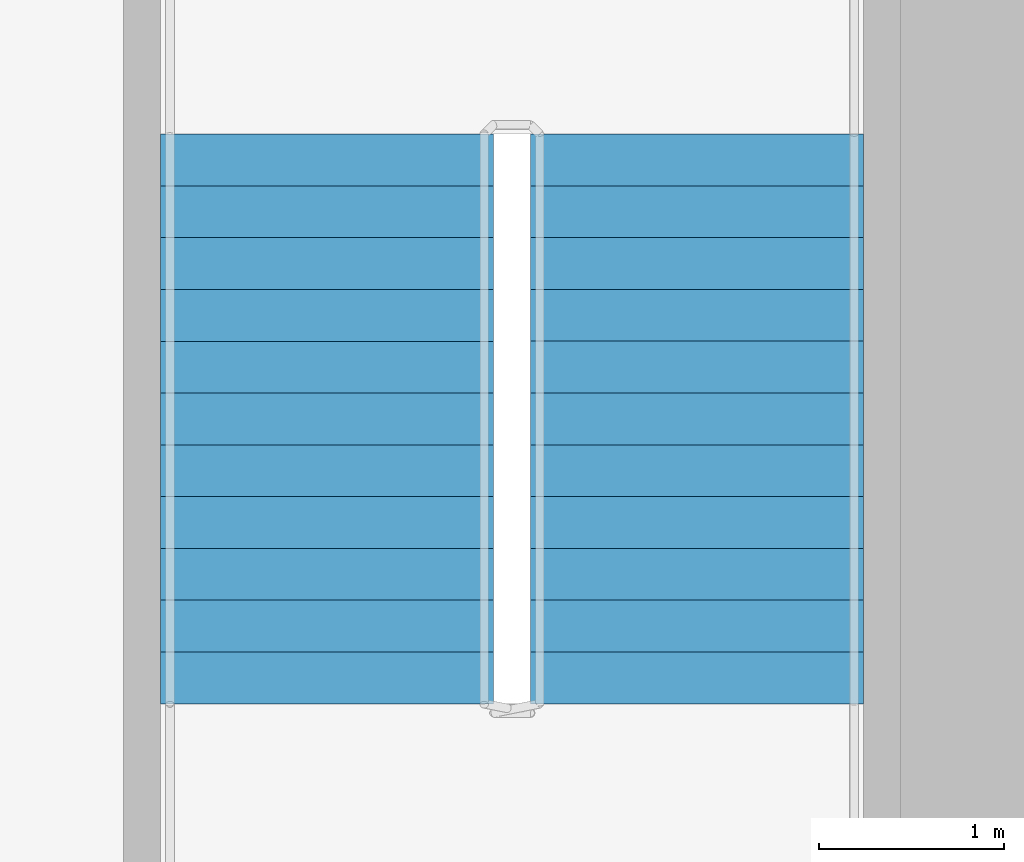
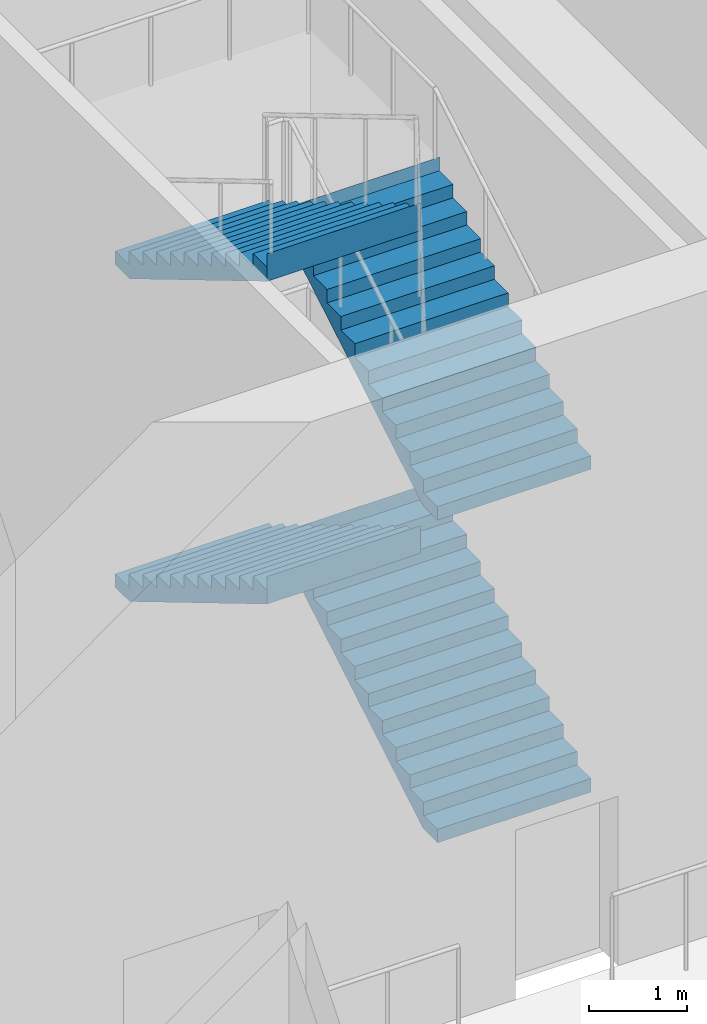
# One storey, part 6 of 12: 4 stair flights, 1 element without a shape of its own.
"""IFC4 building model written with IfcOpenShell, lengths in metres."""

import ifcopenshell
import ifcopenshell.guid

model = None  # the IFC model being written
_history = None  # IfcOwnerHistory: only IFC2X3 demands one
_inside = {}  # id of a spatial element -> (the spatial element, [elements in it])
_under = {}  # id of a project, library or spatial element -> (it, [spatial elements below it])
_declared = {}  # id of a project -> (the project, [libraries it declares])
_typed = {}  # id of a type object -> (the type object, [elements of that type])
_made_of = {}  # id of a material, layer set ... -> (it, [elements and type objects made of it])


def new_model(schema):
    """Start an empty IFC model of exactly this schema.

    Asked for "IFC4X3", IfcOpenShell would pick the latest addendum, in which some entities
    have other attributes; the version numbers below select the first issue.
    IFC2X3 requires an IfcOwnerHistory on every rooted entity: one is made here for all.
    """
    global model, _history
    if schema == "IFC4X3":
        model = ifcopenshell.file(schema_version=(4, 3, 0, 0))
    else:
        model = ifcopenshell.file(schema=schema)
    _inside.clear()
    _under.clear()
    _declared.clear()
    _typed.clear()
    _made_of.clear()
    _history = None
    if model.schema == "IFC2X3":
        org = make("IfcOrganization", Name="unknown")
        user = make(
            "IfcPersonAndOrganization",
            ThePerson=make("IfcPerson", FamilyName="unknown"),
            TheOrganization=org,
        )
        app = make(
            "IfcApplication",
            ApplicationDeveloper=org,
            Version="unknown",
            ApplicationFullName="unknown",
            ApplicationIdentifier="unknown",
        )
        _history = make(
            "IfcOwnerHistory",
            OwningUser=user,
            OwningApplication=app,
            ChangeAction="ADDED",
            CreationDate=0,
        )
    return model


def make(cls, **values):
    """One entity of the class cls with the attributes given. An attribute that is None is left unset."""
    return model.create_entity(
        cls, **{name: value for name, value in values.items() if value is not None}
    )


def rooted(cls, **values):
    """An entity with a GlobalId (a new one), such as an element, a storey or a relation."""
    return make(cls, GlobalId=ifcopenshell.guid.new(), OwnerHistory=_history, **values)


def si_unit(unit_type, name, prefix=None):
    """IfcSIUnit, for example si_unit("LENGTHUNIT", "METRE", prefix="MILLI")."""
    return make("IfcSIUnit", UnitType=unit_type, Prefix=prefix, Name=name)


def assignment(units):
    """IfcUnitAssignment: the units of a project."""
    return None if units is None else make("IfcUnitAssignment", Units=units)


def point(xyz):
    """IfcCartesianPoint."""
    return None if xyz is None else make("IfcCartesianPoint", Coordinates=xyz)


def direction(xyz):
    """IfcDirection."""
    return None if xyz is None else make("IfcDirection", DirectionRatios=xyz)


def frame(location, z_axis=None, x_axis=None):
    """IfcAxis2Placement3D, a coordinate frame: its origin and axes. An axis left out is left unset."""
    return make(
        "IfcAxis2Placement3D",
        Location=point(location),
        Axis=direction(z_axis),
        RefDirection=direction(x_axis),
    )


def origin():
    """The frame at (0, 0, 0) with its axes left unset."""
    return frame((0.0, 0.0, 0.0))


def place(relative_to, where):
    """IfcLocalPlacement: puts the frame where relative to a parent placement (None: the world)."""
    return make(
        "IfcLocalPlacement", PlacementRelTo=relative_to, RelativePlacement=where
    )


def context(
    kind, dimensions, precision=None, world=None, true_north=None, identifier=None
):
    """IfcGeometricRepresentationContext, for example the 3D "Model" context."""
    return make(
        "IfcGeometricRepresentationContext",
        ContextIdentifier=identifier,
        ContextType=kind,
        CoordinateSpaceDimension=dimensions,
        Precision=precision,
        WorldCoordinateSystem=world,
        TrueNorth=true_north,
    )


def subcontext(parent, identifier, kind, view, scale=None):
    """IfcGeometricRepresentationSubContext, for example "Body" below "Model"."""
    return make(
        "IfcGeometricRepresentationSubContext",
        ContextIdentifier=identifier,
        ContextType=kind,
        ParentContext=parent,
        TargetScale=scale,
        TargetView=view,
    )


def project(units=None, contexts=None):
    """IfcProject with its units and contexts."""
    return rooted(
        "IfcProject",
        Name="project",
        RepresentationContexts=contexts,
        UnitsInContext=assignment(units),
    )


def spatial(cls, under=None, at=None, **own):
    """A site, building, storey or space (cls), placed at a placement, below another one or the project."""
    s = rooted(cls, ObjectPlacement=at, **own)
    if under is not None:
        _under.setdefault(under.id(), (under, []))[1].append(s)
    return s


def polyline(points):
    """IfcPolyline through the points."""
    return make("IfcPolyline", Points=[point(p) for p in points])


def outline(outer, holes=None, kind="AREA"):
    """IfcArbitraryClosedProfileDef: a profile drawn as a closed curve; with holes, ...WithVoids."""
    if holes is None:
        return make("IfcArbitraryClosedProfileDef", ProfileType=kind, OuterCurve=outer)
    return make(
        "IfcArbitraryProfileDefWithVoids",
        ProfileType=kind,
        OuterCurve=outer,
        InnerCurves=holes,
    )


def extrude(swept, where, along, depth):
    """IfcExtrudedAreaSolid: the profile swept, set in the frame where, extruded along a direction by depth."""
    return make(
        "IfcExtrudedAreaSolid",
        SweptArea=swept,
        Position=where,
        ExtrudedDirection=direction(along),
        Depth=depth,
    )


def shape(context_of_items, identifier, shape_type, items):
    """IfcShapeRepresentation: the items that make up one representation, for example the "Body"."""
    return make(
        "IfcShapeRepresentation",
        ContextOfItems=context_of_items,
        RepresentationIdentifier=identifier,
        RepresentationType=shape_type,
        Items=items,
    )


def material(Name=None, Category=None):
    """IfcMaterial."""
    return make("IfcMaterial", Name=Name, Category=Category)


def made_of(thing, what):
    """Note that an element or type object is made of a material, layer set ...; save() writes the relation."""
    if what is not None:
        _made_of.setdefault(what.id(), (what, []))[1].append(thing)
    return thing


def type_object(cls, material=None, **own):
    """A type object (cls), such as IfcWallType, which elements share."""
    return made_of(rooted(cls, **own), material)


def element(
    cls,
    number,
    at=None,
    inside=None,
    cuts=None,
    type_object=None,
    material=None,
    context=None,
    identifier="Body",
    shape_type=None,
    held_by="IfcProductDefinitionShape",
    body=None,
    shapes=None,
    **own,
):
    """One element of the class cls, such as IfcWall. Its Tag is "e" and its number.

    at: its placement. inside: the storey or other place that contains it. cuts: it is an
    opening in that element (IfcRelVoidsElement). A single representation is given by context,
    identifier, shape_type and body (its items); several are given by shapes. held_by: the class
    of the entity that holds the representations. save() writes the other relations.
    """
    e = rooted(cls, Tag="e%d" % number, ObjectPlacement=at, **own)
    if body is not None:
        shapes = [shape(context, identifier, shape_type, body)]
    if shapes is not None:
        e.Representation = make(held_by, Representations=shapes)
    if inside is not None:
        _inside.setdefault(inside.id(), (inside, []))[1].append(e)
    if cuts is not None:
        rooted(
            "IfcRelVoidsElement", RelatingBuildingElement=cuts, RelatedOpeningElement=e
        )
    if type_object is not None:
        _typed.setdefault(type_object.id(), (type_object, []))[1].append(e)
    return made_of(e, material)


def aggregate(whole, parts):
    """IfcRelAggregates: a whole, such as a stair, and the parts it consists of."""
    return rooted("IfcRelAggregates", RelatingObject=whole, RelatedObjects=parts)


def save(model, path):
    """Write the relations noted so far, then the file.

    IfcRelAggregates (storeys below a building ...), IfcRelContainedInSpatialStructure (elements
    in a storey), IfcRelDefinesByType, IfcRelAssociatesMaterial and IfcRelDeclares: one each for
    every whole, place, type object, material and project.
    """
    for whole, parts in _under.values():
        aggregate(whole, parts)
    for where, things in _inside.values():
        rooted(
            "IfcRelContainedInSpatialStructure",
            RelatedElements=things,
            RelatingStructure=where,
        )
    for kind, things in _typed.values():
        rooted("IfcRelDefinesByType", RelatedObjects=things, RelatingType=kind)
    for what, things in _made_of.values():
        rooted("IfcRelAssociatesMaterial", RelatedObjects=things, RelatingMaterial=what)
    for by, libraries in _declared.values():
        rooted("IfcRelDeclares", RelatingContext=by, RelatedDefinitions=libraries)
    model.write(path)


model = new_model("IFC4")

# Units and contexts
model_context = context("Model", 3, precision=1e-05, world=origin(), true_north=direction((0.0, 1.0)))
body_context = subcontext(model_context, "Body", "Model", "MODEL_VIEW")
ifc_project = project(units=[si_unit("LENGTHUNIT", "METRE"), si_unit("AREAUNIT", "SQUARE_METRE"), si_unit("VOLUMEUNIT", "CUBIC_METRE"), si_unit("PLANEANGLEUNIT", "RADIAN"), si_unit("MASSUNIT", "GRAM", prefix="KILO")], contexts=[model_context])

# Site, building, storey
site_placement = place(None, origin())
site = spatial("IfcSite", under=ifc_project, at=site_placement, CompositionType="ELEMENT")
building_placement = place(site_placement, origin())
building = spatial("IfcBuilding", under=site, at=building_placement, Name="Tamorin Gate", CompositionType="ELEMENT")
storey_placement = place(building_placement, frame((0.0, 0.0, 166.199951171875)))
storey = spatial("IfcBuildingStorey", under=building, at=storey_placement, Name="L41", CompositionType="ELEMENT", Elevation=166.199951171875)

# Stair, stair flights
ifc_material = material(Name="Concrete C40/50", Category="concrete")
stair_type = type_object("IfcStairType", Name="Exit stair", PredefinedType="HALF_TURN_STAIR", material=ifc_material)
stair_placement = place(storey_placement, origin())
stair = element("IfcStair", 1, at=stair_placement, inside=storey, type_object=stair_type, Name="L41 stair ST3", PredefinedType="HALF_TURN_STAIR")
stair_flight_type = type_object("IfcStairFlightType", Name="Exit stair flight", PredefinedType="STRAIGHT", material=ifc_material)
stair_flight_1_placement = place(storey_placement, frame((58.10009765625, 62.800048828125, 0.0), z_axis=(0.0, 0.0, 1.0), x_axis=(0.0, 1.0, 0.0)))
stair_flight_1 = element("IfcStairFlight", 2, at=stair_flight_1_placement, type_object=stair_flight_type, Name="ST3 flight 1", NumberOfRisers=12, NumberOfTreads=11, PredefinedType="STRAIGHT", RiserHeight=0.166666667, TreadLength=0.28, context=body_context, shape_type="SweptSolid", body=[
    extrude(outline(polyline([(-0.00048828125, 0.0), (-0.00048828125, 0.001708984375), (-0.00048828125, 0.00341796875), (-0.00048828125, 0.0048828125), (-0.00048828125, 0.006591796875), (-0.00048828125, 0.00830078125), (-0.00048828125, 0.010009765625), (-0.00048828125, 0.011474609375), (-0.00048828125, 0.01318359375), (-0.00048828125, 0.014892578125), (-0.00048828125, 0.0166015625), (-0.00048828125, 0.01806640625), (-0.00048828125, 0.019775390625), (-0.00048828125, 0.021484375), (-0.00048828125, 0.023193359375), (-0.00048828125, 0.024658203125), (-0.00048828125, 0.0263671875), (-0.00048828125, 0.028076171875), (-0.00048828125, 0.02978515625), (-0.00048828125, 0.03125), (-0.00048828125, 0.032958984375), (-0.00048828125, 0.03466796875), (-0.00048828125, 0.036376953125), (-0.00048828125, 0.037841796875), (-0.00048828125, 0.03955078125), (-0.00048828125, 0.041259765625), (-0.00048828125, 0.04296875), (-0.00048828125, 0.04443359375), (-0.00048828125, 0.046142578125), (-0.00048828125, 0.0478515625), (-0.00048828125, 0.049560546875), (-0.00048828125, 0.05126953125), (-0.00048828125, 0.052734375), (-0.00048828125, 0.054443359375), (-0.00048828125, 0.05615234375), (-0.00048828125, 0.057861328125), (-0.00048828125, 0.059326171875), (-0.00048828125, 0.06103515625), (-0.00048828125, 0.062744140625), (-0.00048828125, 0.064453125), (-0.00048828125, 0.06591796875), (-0.00048828125, 0.067626953125), (-0.00048828125, 0.0693359375), (-0.00048828125, 0.071044921875), (-0.00048828125, 0.072509765625), (-0.00048828125, 0.07421875), (-0.00048828125, 0.075927734375), (-0.00048828125, 0.07763671875), (-0.00048828125, 0.0791015625), (-0.00048828125, 0.080810546875), (-0.00048828125, 0.08251953125), (-0.00048828125, 0.084228515625), (-0.00048828125, 0.085693359375), (-0.00048828125, 0.08740234375), (-0.00048828125, 0.089111328125), (-0.00048828125, 0.0908203125), (-0.00048828125, 0.092529296875), (-0.00048828125, 0.093994140625), (-0.00048828125, 0.095703125), (-0.00048828125, 0.097412109375), (-0.00048828125, 0.09912109375), (-0.00048828125, 0.1005859375), (-0.00048828125, 0.102294921875), (-0.00048828125, 0.10400390625), (-0.00048828125, 0.105712890625), (-0.00048828125, 0.107177734375), (-0.00048828125, 0.10888671875), (-0.00048828125, 0.110595703125), (-0.00048828125, 0.1123046875), (-0.00048828125, 0.11376953125), (-0.00048828125, 0.115478515625), (-0.00048828125, 0.1171875), (-0.00048828125, 0.118896484375), (-0.00048828125, 0.120361328125), (-0.00048828125, 0.1220703125), (-0.00048828125, 0.123779296875), (-0.00048828125, 0.12548828125), (-0.00048828125, 0.126953125), (-0.00048828125, 0.128662109375), (-0.00048828125, 0.13037109375), (-0.00048828125, 0.132080078125), (-0.00048828125, 0.133544921875), (-0.00048828125, 0.13525390625), (-0.00048828125, 0.136962890625), (-0.00048828125, 0.138671875), (-0.00048828125, 0.140380859375), (-0.00048828125, 0.141845703125), (-0.00048828125, 0.1435546875), (-0.00048828125, 0.145263671875), (-0.00048828125, 0.14697265625), (-0.00048828125, 0.1484375), (-0.00048828125, 0.150146484375), (-0.00048828125, 0.15185546875), (-0.00048828125, 0.153564453125), (-0.00048828125, 0.155029296875), (-0.00048828125, 0.15673828125), (-0.00048828125, 0.158447265625), (-0.00048828125, 0.16015625), (-0.00048828125, 0.16162109375), (-0.00048828125, 0.163330078125), (-0.00048828125, 0.1650390625), (-0.00048828125, 0.166748046875), (0.280029296875, 0.166748046875), (0.280029296875, 0.333251953125), (0.56005859375, 0.333251953125), (0.56005859375, 0.5), (0.840087890625, 0.5), (0.840087890625, 0.666748046875), (1.1201171875, 0.666748046875), (1.1201171875, 0.833251953125), (1.39990234375, 0.833251953125), (1.39990234375, 1.0), (1.679931640625, 1.0), (1.679931640625, 1.166748046875), (1.9599609375, 1.166748046875), (1.9599609375, 1.333251953125), (2.239990234375, 1.333251953125), (2.239990234375, 1.5), (2.52001953125, 1.5), (2.52001953125, 1.666748046875), (2.800048828125, 1.666748046875), (2.800048828125, 1.833251953125), (3.080078125, 1.833251953125), (3.080078125, 2.0), (3.08056640625, 2.0), (3.08056640625, 1.99658203125), (3.08056640625, 1.9931640625), (3.08056640625, 1.98974609375), (3.08056640625, 1.986572265625), (3.08056640625, 1.983154296875), (3.08056640625, 1.979736328125), (3.08056640625, 1.976318359375), (3.08056640625, 1.972900390625), (3.08056640625, 1.969482421875), (3.08056640625, 1.96630859375), (3.08056640625, 1.962890625), (3.08056640625, 1.95947265625), (3.08056640625, 1.9560546875), (3.08056640625, 1.95263671875), (3.08056640625, 1.94921875), (3.08056640625, 1.946044921875), (3.08056640625, 1.942626953125), (3.08056640625, 1.939208984375), (3.08056640625, 1.935791015625), (3.08056640625, 1.932373046875), (3.08056640625, 1.928955078125), (3.08056640625, 1.92578125), (3.08056640625, 1.92236328125), (3.08056640625, 1.9189453125), (3.08056640625, 1.91552734375), (3.08056640625, 1.912109375), (3.08056640625, 1.90869140625), (3.08056640625, 1.905517578125), (3.08056640625, 1.902099609375), (3.08056640625, 1.898681640625), (3.08056640625, 1.895263671875), (3.08056640625, 1.891845703125), (3.08056640625, 1.888427734375), (3.08056640625, 1.88525390625), (3.08056640625, 1.8818359375), (3.08056640625, 1.87841796875), (3.08056640625, 1.875), (3.08056640625, 1.87158203125), (3.08056640625, 1.8681640625), (3.08056640625, 1.864990234375), (3.08056640625, 1.861572265625), (3.08056640625, 1.858154296875), (3.08056640625, 1.854736328125), (3.08056640625, 1.851318359375), (3.08056640625, 1.847900390625), (3.08056640625, 1.8447265625), (3.08056640625, 1.84130859375), (3.08056640625, 1.837890625), (3.08056640625, 1.83447265625), (3.08056640625, 1.8310546875), (3.08056640625, 1.82763671875), (3.08056640625, 1.824462890625), (3.08056640625, 1.821044921875), (3.08056640625, 1.817626953125), (3.08056640625, 1.814208984375), (3.08056640625, 1.810791015625), (3.08056640625, 1.807373046875), (3.08056640625, 1.80419921875), (3.08056640625, 1.80078125), (3.08056640625, 1.79736328125), (3.08056640625, 1.7939453125), (3.08056640625, 1.79052734375), (3.08056640625, 1.787109375), (3.08056640625, 1.783935546875), (3.08056640625, 1.780517578125), (3.08056640625, 1.777099609375), (3.08056640625, 1.773681640625), (3.08056640625, 1.770263671875), (3.08056640625, 1.766845703125), (3.08056640625, 1.763671875), (3.08056640625, 1.76025390625), (3.08056640625, 1.7568359375), (3.08056640625, 1.75341796875), (3.08056640625, 1.75), (3.08056640625, 1.74658203125), (3.08056640625, 1.743408203125), (3.08056640625, 1.739990234375), (3.08056640625, 1.736572265625), (3.08056640625, 1.733154296875), (3.08056640625, 1.729736328125), (3.08056640625, 1.726318359375), (3.08056640625, 1.72314453125), (3.08056640625, 1.7197265625), (3.08056640625, 1.71630859375), (3.08056640625, 1.712890625), (3.08056640625, 1.70947265625), (3.08056640625, 1.7060546875), (3.08056640625, 1.702880859375), (3.08056640625, 1.699462890625), (3.08056640625, 1.696044921875), (3.08056640625, 1.692626953125), (3.08056640625, 1.689208984375), (3.08056640625, 1.685791015625), (3.08056640625, 1.6826171875), (3.08056640625, 1.67919921875), (3.08056640625, 1.67578125), (3.08056640625, 1.67236328125), (3.08056640625, 1.6689453125), (3.08056640625, 1.66552734375), (3.08056640625, 1.662353515625), (3.08056640625, 1.658935546875), (3.080078125, 1.658935546875), (0.29296875, 0.0), (-0.00048828125, 0.0)])), frame((0.0, 0.89990234375, 0.0), z_axis=(0.0, -1.0, 0.0), x_axis=(1.0, 0.0, 0.0)), (0.0, 0.0, 1.0), 1.800048828125),
])
stair_flight_2_placement = place(storey_placement, frame((56.10009765625, 65.8798828125, 2.0), z_axis=(0.0, 0.0, 1.0), x_axis=(0.0, -1.0, 0.0)))
stair_flight_2 = element("IfcStairFlight", 3, at=stair_flight_2_placement, type_object=stair_flight_type, Name="ST3 flight 2", NumberOfRisers=12, NumberOfTreads=11, PredefinedType="STRAIGHT", RiserHeight=0.166666667, TreadLength=0.28, context=body_context, shape_type="SweptSolid", body=[
    extrude(outline(polyline([(-0.00048828125, 0.0), (-0.00048828125, 0.001708984375), (-0.00048828125, 0.00341796875), (-0.00048828125, 0.0048828125), (-0.00048828125, 0.006591796875), (-0.00048828125, 0.00830078125), (-0.00048828125, 0.010009765625), (-0.00048828125, 0.011474609375), (-0.00048828125, 0.01318359375), (-0.00048828125, 0.014892578125), (-0.00048828125, 0.0166015625), (-0.00048828125, 0.01806640625), (-0.00048828125, 0.019775390625), (-0.00048828125, 0.021484375), (-0.00048828125, 0.023193359375), (-0.00048828125, 0.024658203125), (-0.00048828125, 0.0263671875), (-0.00048828125, 0.028076171875), (-0.00048828125, 0.02978515625), (-0.00048828125, 0.03125), (-0.00048828125, 0.032958984375), (-0.00048828125, 0.03466796875), (-0.00048828125, 0.036376953125), (-0.00048828125, 0.037841796875), (-0.00048828125, 0.03955078125), (-0.00048828125, 0.041259765625), (-0.00048828125, 0.04296875), (-0.00048828125, 0.04443359375), (-0.00048828125, 0.046142578125), (-0.00048828125, 0.0478515625), (-0.00048828125, 0.049560546875), (-0.00048828125, 0.05126953125), (-0.00048828125, 0.052734375), (-0.00048828125, 0.054443359375), (-0.00048828125, 0.05615234375), (-0.00048828125, 0.057861328125), (-0.00048828125, 0.059326171875), (-0.00048828125, 0.06103515625), (-0.00048828125, 0.062744140625), (-0.00048828125, 0.064453125), (-0.00048828125, 0.06591796875), (-0.00048828125, 0.067626953125), (-0.00048828125, 0.0693359375), (-0.00048828125, 0.071044921875), (-0.00048828125, 0.072509765625), (-0.00048828125, 0.07421875), (-0.00048828125, 0.075927734375), (-0.00048828125, 0.07763671875), (-0.00048828125, 0.0791015625), (-0.00048828125, 0.080810546875), (-0.00048828125, 0.08251953125), (-0.00048828125, 0.084228515625), (-0.00048828125, 0.085693359375), (-0.00048828125, 0.08740234375), (-0.00048828125, 0.089111328125), (-0.00048828125, 0.0908203125), (-0.00048828125, 0.092529296875), (-0.00048828125, 0.093994140625), (-0.00048828125, 0.095703125), (-0.00048828125, 0.097412109375), (-0.00048828125, 0.09912109375), (-0.00048828125, 0.1005859375), (-0.00048828125, 0.102294921875), (-0.00048828125, 0.10400390625), (-0.00048828125, 0.105712890625), (-0.00048828125, 0.107177734375), (-0.00048828125, 0.10888671875), (-0.00048828125, 0.110595703125), (-0.00048828125, 0.1123046875), (-0.00048828125, 0.11376953125), (-0.00048828125, 0.115478515625), (-0.00048828125, 0.1171875), (-0.00048828125, 0.118896484375), (-0.00048828125, 0.120361328125), (-0.00048828125, 0.1220703125), (-0.00048828125, 0.123779296875), (-0.00048828125, 0.12548828125), (-0.00048828125, 0.126953125), (-0.00048828125, 0.128662109375), (-0.00048828125, 0.13037109375), (-0.00048828125, 0.132080078125), (-0.00048828125, 0.133544921875), (-0.00048828125, 0.13525390625), (-0.00048828125, 0.136962890625), (-0.00048828125, 0.138671875), (-0.00048828125, 0.140380859375), (-0.00048828125, 0.141845703125), (-0.00048828125, 0.1435546875), (-0.00048828125, 0.145263671875), (-0.00048828125, 0.14697265625), (-0.00048828125, 0.1484375), (-0.00048828125, 0.150146484375), (-0.00048828125, 0.15185546875), (-0.00048828125, 0.153564453125), (-0.00048828125, 0.155029296875), (-0.00048828125, 0.15673828125), (-0.00048828125, 0.158447265625), (-0.00048828125, 0.16015625), (-0.00048828125, 0.16162109375), (-0.00048828125, 0.163330078125), (-0.00048828125, 0.1650390625), (-0.00048828125, 0.166748046875), (0.280029296875, 0.166748046875), (0.280029296875, 0.333251953125), (0.56005859375, 0.333251953125), (0.56005859375, 0.5), (0.840087890625, 0.5), (0.840087890625, 0.666748046875), (1.1201171875, 0.666748046875), (1.1201171875, 0.833251953125), (1.39990234375, 0.833251953125), (1.39990234375, 1.0), (1.679931640625, 1.0), (1.679931640625, 1.166748046875), (1.9599609375, 1.166748046875), (1.9599609375, 1.333251953125), (2.239990234375, 1.333251953125), (2.239990234375, 1.5), (2.52001953125, 1.5), (2.52001953125, 1.666748046875), (2.800048828125, 1.666748046875), (2.800048828125, 1.833251953125), (3.080078125, 1.833251953125), (3.080078125, 2.0), (3.08056640625, 2.0), (3.08056640625, 1.99658203125), (3.08056640625, 1.9931640625), (3.08056640625, 1.98974609375), (3.08056640625, 1.986572265625), (3.08056640625, 1.983154296875), (3.08056640625, 1.979736328125), (3.08056640625, 1.976318359375), (3.08056640625, 1.972900390625), (3.08056640625, 1.969482421875), (3.08056640625, 1.96630859375), (3.08056640625, 1.962890625), (3.08056640625, 1.95947265625), (3.08056640625, 1.9560546875), (3.08056640625, 1.95263671875), (3.08056640625, 1.94921875), (3.08056640625, 1.946044921875), (3.08056640625, 1.942626953125), (3.08056640625, 1.939208984375), (3.08056640625, 1.935791015625), (3.08056640625, 1.932373046875), (3.08056640625, 1.928955078125), (3.08056640625, 1.92578125), (3.08056640625, 1.92236328125), (3.08056640625, 1.9189453125), (3.08056640625, 1.91552734375), (3.08056640625, 1.912109375), (3.08056640625, 1.90869140625), (3.08056640625, 1.905517578125), (3.08056640625, 1.902099609375), (3.08056640625, 1.898681640625), (3.08056640625, 1.895263671875), (3.08056640625, 1.891845703125), (3.08056640625, 1.888427734375), (3.08056640625, 1.88525390625), (3.08056640625, 1.8818359375), (3.08056640625, 1.87841796875), (3.08056640625, 1.875), (3.08056640625, 1.87158203125), (3.08056640625, 1.8681640625), (3.08056640625, 1.864990234375), (3.08056640625, 1.861572265625), (3.08056640625, 1.858154296875), (3.08056640625, 1.854736328125), (3.08056640625, 1.851318359375), (3.08056640625, 1.847900390625), (3.08056640625, 1.8447265625), (3.08056640625, 1.84130859375), (3.08056640625, 1.837890625), (3.08056640625, 1.83447265625), (3.08056640625, 1.8310546875), (3.08056640625, 1.82763671875), (3.08056640625, 1.824462890625), (3.08056640625, 1.821044921875), (3.08056640625, 1.817626953125), (3.08056640625, 1.814208984375), (3.08056640625, 1.810791015625), (3.08056640625, 1.807373046875), (3.08056640625, 1.80419921875), (3.08056640625, 1.80078125), (3.08056640625, 1.79736328125), (3.08056640625, 1.7939453125), (3.08056640625, 1.79052734375), (3.08056640625, 1.787109375), (3.08056640625, 1.783935546875), (3.08056640625, 1.780517578125), (3.08056640625, 1.777099609375), (3.08056640625, 1.773681640625), (3.08056640625, 1.770263671875), (3.08056640625, 1.766845703125), (3.08056640625, 1.763671875), (3.08056640625, 1.76025390625), (3.08056640625, 1.7568359375), (3.08056640625, 1.75341796875), (3.08056640625, 1.75), (3.08056640625, 1.74658203125), (3.08056640625, 1.743408203125), (3.08056640625, 1.739990234375), (3.08056640625, 1.736572265625), (3.08056640625, 1.733154296875), (3.08056640625, 1.729736328125), (3.08056640625, 1.726318359375), (3.08056640625, 1.72314453125), (3.08056640625, 1.7197265625), (3.08056640625, 1.71630859375), (3.08056640625, 1.712890625), (3.08056640625, 1.70947265625), (3.08056640625, 1.7060546875), (3.08056640625, 1.702880859375), (3.08056640625, 1.699462890625), (3.08056640625, 1.696044921875), (3.08056640625, 1.692626953125), (3.08056640625, 1.689208984375), (3.08056640625, 1.685791015625), (3.08056640625, 1.6826171875), (3.08056640625, 1.67919921875), (3.08056640625, 1.67578125), (3.08056640625, 1.67236328125), (3.08056640625, 1.6689453125), (3.08056640625, 1.66552734375), (3.08056640625, 1.662353515625), (3.08056640625, 1.658935546875), (3.080078125, 1.658935546875), (0.29296875, 0.0), (-0.00048828125, 0.0)])), frame((0.0, 0.89990234375, 0.0), z_axis=(0.0, -1.0, 0.0), x_axis=(1.0, 0.0, 0.0)), (0.0, 0.0, 1.0), 1.800048828125),
])
stair_flight_3_placement = place(storey_placement, frame((58.10009765625, 62.800048828125, 4.0), z_axis=(0.0, 0.0, 1.0), x_axis=(0.0, 1.0, 0.0)))
stair_flight_3 = element("IfcStairFlight", 4, at=stair_flight_3_placement, type_object=stair_flight_type, Name="ST3 flight 3", NumberOfRisers=12, NumberOfTreads=11, PredefinedType="STRAIGHT", RiserHeight=0.166666667, TreadLength=0.28, context=body_context, shape_type="SweptSolid", body=[
    extrude(outline(polyline([(-0.00048828125, 0.0), (-0.00048828125, 0.001708984375), (-0.00048828125, 0.00341796875), (-0.00048828125, 0.0048828125), (-0.00048828125, 0.006591796875), (-0.00048828125, 0.00830078125), (-0.00048828125, 0.010009765625), (-0.00048828125, 0.011474609375), (-0.00048828125, 0.01318359375), (-0.00048828125, 0.014892578125), (-0.00048828125, 0.0166015625), (-0.00048828125, 0.01806640625), (-0.00048828125, 0.019775390625), (-0.00048828125, 0.021484375), (-0.00048828125, 0.023193359375), (-0.00048828125, 0.024658203125), (-0.00048828125, 0.0263671875), (-0.00048828125, 0.028076171875), (-0.00048828125, 0.02978515625), (-0.00048828125, 0.03125), (-0.00048828125, 0.032958984375), (-0.00048828125, 0.03466796875), (-0.00048828125, 0.036376953125), (-0.00048828125, 0.037841796875), (-0.00048828125, 0.03955078125), (-0.00048828125, 0.041259765625), (-0.00048828125, 0.04296875), (-0.00048828125, 0.04443359375), (-0.00048828125, 0.046142578125), (-0.00048828125, 0.0478515625), (-0.00048828125, 0.049560546875), (-0.00048828125, 0.05126953125), (-0.00048828125, 0.052734375), (-0.00048828125, 0.054443359375), (-0.00048828125, 0.05615234375), (-0.00048828125, 0.057861328125), (-0.00048828125, 0.059326171875), (-0.00048828125, 0.06103515625), (-0.00048828125, 0.062744140625), (-0.00048828125, 0.064453125), (-0.00048828125, 0.06591796875), (-0.00048828125, 0.067626953125), (-0.00048828125, 0.0693359375), (-0.00048828125, 0.071044921875), (-0.00048828125, 0.072509765625), (-0.00048828125, 0.07421875), (-0.00048828125, 0.075927734375), (-0.00048828125, 0.07763671875), (-0.00048828125, 0.0791015625), (-0.00048828125, 0.080810546875), (-0.00048828125, 0.08251953125), (-0.00048828125, 0.084228515625), (-0.00048828125, 0.085693359375), (-0.00048828125, 0.08740234375), (-0.00048828125, 0.089111328125), (-0.00048828125, 0.0908203125), (-0.00048828125, 0.092529296875), (-0.00048828125, 0.093994140625), (-0.00048828125, 0.095703125), (-0.00048828125, 0.097412109375), (-0.00048828125, 0.09912109375), (-0.00048828125, 0.1005859375), (-0.00048828125, 0.102294921875), (-0.00048828125, 0.10400390625), (-0.00048828125, 0.105712890625), (-0.00048828125, 0.107177734375), (-0.00048828125, 0.10888671875), (-0.00048828125, 0.110595703125), (-0.00048828125, 0.1123046875), (-0.00048828125, 0.11376953125), (-0.00048828125, 0.115478515625), (-0.00048828125, 0.1171875), (-0.00048828125, 0.118896484375), (-0.00048828125, 0.120361328125), (-0.00048828125, 0.1220703125), (-0.00048828125, 0.123779296875), (-0.00048828125, 0.12548828125), (-0.00048828125, 0.126953125), (-0.00048828125, 0.128662109375), (-0.00048828125, 0.13037109375), (-0.00048828125, 0.132080078125), (-0.00048828125, 0.133544921875), (-0.00048828125, 0.13525390625), (-0.00048828125, 0.136962890625), (-0.00048828125, 0.138671875), (-0.00048828125, 0.140380859375), (-0.00048828125, 0.141845703125), (-0.00048828125, 0.1435546875), (-0.00048828125, 0.145263671875), (-0.00048828125, 0.14697265625), (-0.00048828125, 0.1484375), (-0.00048828125, 0.150146484375), (-0.00048828125, 0.15185546875), (-0.00048828125, 0.153564453125), (-0.00048828125, 0.155029296875), (-0.00048828125, 0.15673828125), (-0.00048828125, 0.158447265625), (-0.00048828125, 0.16015625), (-0.00048828125, 0.16162109375), (-0.00048828125, 0.163330078125), (-0.00048828125, 0.1650390625), (-0.00048828125, 0.166748046875), (0.280029296875, 0.166748046875), (0.280029296875, 0.333251953125), (0.56005859375, 0.333251953125), (0.56005859375, 0.5), (0.840087890625, 0.5), (0.840087890625, 0.666748046875), (1.1201171875, 0.666748046875), (1.1201171875, 0.833251953125), (1.39990234375, 0.833251953125), (1.39990234375, 1.0), (1.679931640625, 1.0), (1.679931640625, 1.166748046875), (1.9599609375, 1.166748046875), (1.9599609375, 1.333251953125), (2.239990234375, 1.333251953125), (2.239990234375, 1.5), (2.52001953125, 1.5), (2.52001953125, 1.666748046875), (2.800048828125, 1.666748046875), (2.800048828125, 1.833251953125), (3.080078125, 1.833251953125), (3.080078125, 2.0), (3.08056640625, 2.0), (3.08056640625, 1.99658203125), (3.08056640625, 1.9931640625), (3.08056640625, 1.98974609375), (3.08056640625, 1.986572265625), (3.08056640625, 1.983154296875), (3.08056640625, 1.979736328125), (3.08056640625, 1.976318359375), (3.08056640625, 1.972900390625), (3.08056640625, 1.969482421875), (3.08056640625, 1.96630859375), (3.08056640625, 1.962890625), (3.08056640625, 1.95947265625), (3.08056640625, 1.9560546875), (3.08056640625, 1.95263671875), (3.08056640625, 1.94921875), (3.08056640625, 1.946044921875), (3.08056640625, 1.942626953125), (3.08056640625, 1.939208984375), (3.08056640625, 1.935791015625), (3.08056640625, 1.932373046875), (3.08056640625, 1.928955078125), (3.08056640625, 1.92578125), (3.08056640625, 1.92236328125), (3.08056640625, 1.9189453125), (3.08056640625, 1.91552734375), (3.08056640625, 1.912109375), (3.08056640625, 1.90869140625), (3.08056640625, 1.905517578125), (3.08056640625, 1.902099609375), (3.08056640625, 1.898681640625), (3.08056640625, 1.895263671875), (3.08056640625, 1.891845703125), (3.08056640625, 1.888427734375), (3.08056640625, 1.88525390625), (3.08056640625, 1.8818359375), (3.08056640625, 1.87841796875), (3.08056640625, 1.875), (3.08056640625, 1.87158203125), (3.08056640625, 1.8681640625), (3.08056640625, 1.864990234375), (3.08056640625, 1.861572265625), (3.08056640625, 1.858154296875), (3.08056640625, 1.854736328125), (3.08056640625, 1.851318359375), (3.08056640625, 1.847900390625), (3.08056640625, 1.8447265625), (3.08056640625, 1.84130859375), (3.08056640625, 1.837890625), (3.08056640625, 1.83447265625), (3.08056640625, 1.8310546875), (3.08056640625, 1.82763671875), (3.08056640625, 1.824462890625), (3.08056640625, 1.821044921875), (3.08056640625, 1.817626953125), (3.08056640625, 1.814208984375), (3.08056640625, 1.810791015625), (3.08056640625, 1.807373046875), (3.08056640625, 1.80419921875), (3.08056640625, 1.80078125), (3.08056640625, 1.79736328125), (3.08056640625, 1.7939453125), (3.08056640625, 1.79052734375), (3.08056640625, 1.787109375), (3.08056640625, 1.783935546875), (3.08056640625, 1.780517578125), (3.08056640625, 1.777099609375), (3.08056640625, 1.773681640625), (3.08056640625, 1.770263671875), (3.08056640625, 1.766845703125), (3.08056640625, 1.763671875), (3.08056640625, 1.76025390625), (3.08056640625, 1.7568359375), (3.08056640625, 1.75341796875), (3.08056640625, 1.75), (3.08056640625, 1.74658203125), (3.08056640625, 1.743408203125), (3.08056640625, 1.739990234375), (3.08056640625, 1.736572265625), (3.08056640625, 1.733154296875), (3.08056640625, 1.729736328125), (3.08056640625, 1.726318359375), (3.08056640625, 1.72314453125), (3.08056640625, 1.7197265625), (3.08056640625, 1.71630859375), (3.08056640625, 1.712890625), (3.08056640625, 1.70947265625), (3.08056640625, 1.7060546875), (3.08056640625, 1.702880859375), (3.08056640625, 1.699462890625), (3.08056640625, 1.696044921875), (3.08056640625, 1.692626953125), (3.08056640625, 1.689208984375), (3.08056640625, 1.685791015625), (3.08056640625, 1.6826171875), (3.08056640625, 1.67919921875), (3.08056640625, 1.67578125), (3.08056640625, 1.67236328125), (3.08056640625, 1.6689453125), (3.08056640625, 1.66552734375), (3.08056640625, 1.662353515625), (3.08056640625, 1.658935546875), (3.080078125, 1.658935546875), (0.29296875, 0.0), (-0.00048828125, 0.0)])), frame((0.0, 0.89990234375, 0.0), z_axis=(0.0, -1.0, 0.0), x_axis=(1.0, 0.0, 0.0)), (0.0, 0.0, 1.0), 1.800048828125),
])
stair_flight_4_placement = place(storey_placement, frame((56.10009765625, 65.8798828125, 6.0), z_axis=(0.0, 0.0, 1.0), x_axis=(0.0, -1.0, 0.0)))
stair_flight_4 = element("IfcStairFlight", 5, at=stair_flight_4_placement, type_object=stair_flight_type, Name="ST3 flight 4", NumberOfRisers=12, NumberOfTreads=11, PredefinedType="STRAIGHT", RiserHeight=0.166666667, TreadLength=0.28, context=body_context, shape_type="SweptSolid", body=[
    extrude(outline(polyline([(-0.00048828125, 0.0), (-0.00048828125, 0.001708984375), (-0.00048828125, 0.00341796875), (-0.00048828125, 0.0048828125), (-0.00048828125, 0.006591796875), (-0.00048828125, 0.00830078125), (-0.00048828125, 0.010009765625), (-0.00048828125, 0.011474609375), (-0.00048828125, 0.01318359375), (-0.00048828125, 0.014892578125), (-0.00048828125, 0.0166015625), (-0.00048828125, 0.01806640625), (-0.00048828125, 0.019775390625), (-0.00048828125, 0.021484375), (-0.00048828125, 0.023193359375), (-0.00048828125, 0.024658203125), (-0.00048828125, 0.0263671875), (-0.00048828125, 0.028076171875), (-0.00048828125, 0.02978515625), (-0.00048828125, 0.03125), (-0.00048828125, 0.032958984375), (-0.00048828125, 0.03466796875), (-0.00048828125, 0.036376953125), (-0.00048828125, 0.037841796875), (-0.00048828125, 0.03955078125), (-0.00048828125, 0.041259765625), (-0.00048828125, 0.04296875), (-0.00048828125, 0.04443359375), (-0.00048828125, 0.046142578125), (-0.00048828125, 0.0478515625), (-0.00048828125, 0.049560546875), (-0.00048828125, 0.05126953125), (-0.00048828125, 0.052734375), (-0.00048828125, 0.054443359375), (-0.00048828125, 0.05615234375), (-0.00048828125, 0.057861328125), (-0.00048828125, 0.059326171875), (-0.00048828125, 0.06103515625), (-0.00048828125, 0.062744140625), (-0.00048828125, 0.064453125), (-0.00048828125, 0.06591796875), (-0.00048828125, 0.067626953125), (-0.00048828125, 0.0693359375), (-0.00048828125, 0.071044921875), (-0.00048828125, 0.072509765625), (-0.00048828125, 0.07421875), (-0.00048828125, 0.075927734375), (-0.00048828125, 0.07763671875), (-0.00048828125, 0.0791015625), (-0.00048828125, 0.080810546875), (-0.00048828125, 0.08251953125), (-0.00048828125, 0.084228515625), (-0.00048828125, 0.085693359375), (-0.00048828125, 0.08740234375), (-0.00048828125, 0.089111328125), (-0.00048828125, 0.0908203125), (-0.00048828125, 0.092529296875), (-0.00048828125, 0.093994140625), (-0.00048828125, 0.095703125), (-0.00048828125, 0.097412109375), (-0.00048828125, 0.09912109375), (-0.00048828125, 0.1005859375), (-0.00048828125, 0.102294921875), (-0.00048828125, 0.10400390625), (-0.00048828125, 0.105712890625), (-0.00048828125, 0.107177734375), (-0.00048828125, 0.10888671875), (-0.00048828125, 0.110595703125), (-0.00048828125, 0.1123046875), (-0.00048828125, 0.11376953125), (-0.00048828125, 0.115478515625), (-0.00048828125, 0.1171875), (-0.00048828125, 0.118896484375), (-0.00048828125, 0.120361328125), (-0.00048828125, 0.1220703125), (-0.00048828125, 0.123779296875), (-0.00048828125, 0.12548828125), (-0.00048828125, 0.126953125), (-0.00048828125, 0.128662109375), (-0.00048828125, 0.13037109375), (-0.00048828125, 0.132080078125), (-0.00048828125, 0.133544921875), (-0.00048828125, 0.13525390625), (-0.00048828125, 0.136962890625), (-0.00048828125, 0.138671875), (-0.00048828125, 0.140380859375), (-0.00048828125, 0.141845703125), (-0.00048828125, 0.1435546875), (-0.00048828125, 0.145263671875), (-0.00048828125, 0.14697265625), (-0.00048828125, 0.1484375), (-0.00048828125, 0.150146484375), (-0.00048828125, 0.15185546875), (-0.00048828125, 0.153564453125), (-0.00048828125, 0.155029296875), (-0.00048828125, 0.15673828125), (-0.00048828125, 0.158447265625), (-0.00048828125, 0.16015625), (-0.00048828125, 0.16162109375), (-0.00048828125, 0.163330078125), (-0.00048828125, 0.1650390625), (-0.00048828125, 0.166748046875), (0.280029296875, 0.166748046875), (0.280029296875, 0.333251953125), (0.56005859375, 0.333251953125), (0.56005859375, 0.5), (0.840087890625, 0.5), (0.840087890625, 0.666748046875), (1.1201171875, 0.666748046875), (1.1201171875, 0.833251953125), (1.39990234375, 0.833251953125), (1.39990234375, 1.0), (1.679931640625, 1.0), (1.679931640625, 1.166748046875), (1.9599609375, 1.166748046875), (1.9599609375, 1.333251953125), (2.239990234375, 1.333251953125), (2.239990234375, 1.5), (2.52001953125, 1.5), (2.52001953125, 1.666748046875), (2.800048828125, 1.666748046875), (2.800048828125, 1.833251953125), (3.080078125, 1.833251953125), (3.080078125, 2.0), (3.08056640625, 2.0), (3.08056640625, 1.99658203125), (3.08056640625, 1.9931640625), (3.08056640625, 1.98974609375), (3.08056640625, 1.986572265625), (3.08056640625, 1.983154296875), (3.08056640625, 1.979736328125), (3.08056640625, 1.976318359375), (3.08056640625, 1.972900390625), (3.08056640625, 1.969482421875), (3.08056640625, 1.96630859375), (3.08056640625, 1.962890625), (3.08056640625, 1.95947265625), (3.08056640625, 1.9560546875), (3.08056640625, 1.95263671875), (3.08056640625, 1.94921875), (3.08056640625, 1.946044921875), (3.08056640625, 1.942626953125), (3.08056640625, 1.939208984375), (3.08056640625, 1.935791015625), (3.08056640625, 1.932373046875), (3.08056640625, 1.928955078125), (3.08056640625, 1.92578125), (3.08056640625, 1.92236328125), (3.08056640625, 1.9189453125), (3.08056640625, 1.91552734375), (3.08056640625, 1.912109375), (3.08056640625, 1.90869140625), (3.08056640625, 1.905517578125), (3.08056640625, 1.902099609375), (3.08056640625, 1.898681640625), (3.08056640625, 1.895263671875), (3.08056640625, 1.891845703125), (3.08056640625, 1.888427734375), (3.08056640625, 1.88525390625), (3.08056640625, 1.8818359375), (3.08056640625, 1.87841796875), (3.08056640625, 1.875), (3.08056640625, 1.87158203125), (3.08056640625, 1.8681640625), (3.08056640625, 1.864990234375), (3.08056640625, 1.861572265625), (3.08056640625, 1.858154296875), (3.08056640625, 1.854736328125), (3.08056640625, 1.851318359375), (3.08056640625, 1.847900390625), (3.08056640625, 1.8447265625), (3.08056640625, 1.84130859375), (3.08056640625, 1.837890625), (3.08056640625, 1.83447265625), (3.08056640625, 1.8310546875), (3.08056640625, 1.82763671875), (3.08056640625, 1.824462890625), (3.08056640625, 1.821044921875), (3.08056640625, 1.817626953125), (3.08056640625, 1.814208984375), (3.08056640625, 1.810791015625), (3.08056640625, 1.807373046875), (3.08056640625, 1.80419921875), (3.08056640625, 1.80078125), (3.08056640625, 1.79736328125), (3.08056640625, 1.7939453125), (3.08056640625, 1.79052734375), (3.08056640625, 1.787109375), (3.08056640625, 1.783935546875), (3.08056640625, 1.780517578125), (3.08056640625, 1.777099609375), (3.08056640625, 1.773681640625), (3.08056640625, 1.770263671875), (3.08056640625, 1.766845703125), (3.08056640625, 1.763671875), (3.08056640625, 1.76025390625), (3.08056640625, 1.7568359375), (3.08056640625, 1.75341796875), (3.08056640625, 1.75), (3.08056640625, 1.74658203125), (3.08056640625, 1.743408203125), (3.08056640625, 1.739990234375), (3.08056640625, 1.736572265625), (3.08056640625, 1.733154296875), (3.08056640625, 1.729736328125), (3.08056640625, 1.726318359375), (3.08056640625, 1.72314453125), (3.08056640625, 1.7197265625), (3.08056640625, 1.71630859375), (3.08056640625, 1.712890625), (3.08056640625, 1.70947265625), (3.08056640625, 1.7060546875), (3.08056640625, 1.702880859375), (3.08056640625, 1.699462890625), (3.08056640625, 1.696044921875), (3.08056640625, 1.692626953125), (3.08056640625, 1.689208984375), (3.08056640625, 1.685791015625), (3.08056640625, 1.6826171875), (3.08056640625, 1.67919921875), (3.08056640625, 1.67578125), (3.08056640625, 1.67236328125), (3.08056640625, 1.6689453125), (3.08056640625, 1.66552734375), (3.08056640625, 1.662353515625), (3.08056640625, 1.658935546875), (3.080078125, 1.658935546875), (0.29296875, 0.0), (-0.00048828125, 0.0)])), frame((0.0, 0.89990234375, 0.0), z_axis=(0.0, -1.0, 0.0), x_axis=(1.0, 0.0, 0.0)), (0.0, 0.0, 1.0), 1.800048828125),
])
aggregate(stair, [stair_flight_1, stair_flight_2, stair_flight_3, stair_flight_4])

save(model, "model.ifc")
